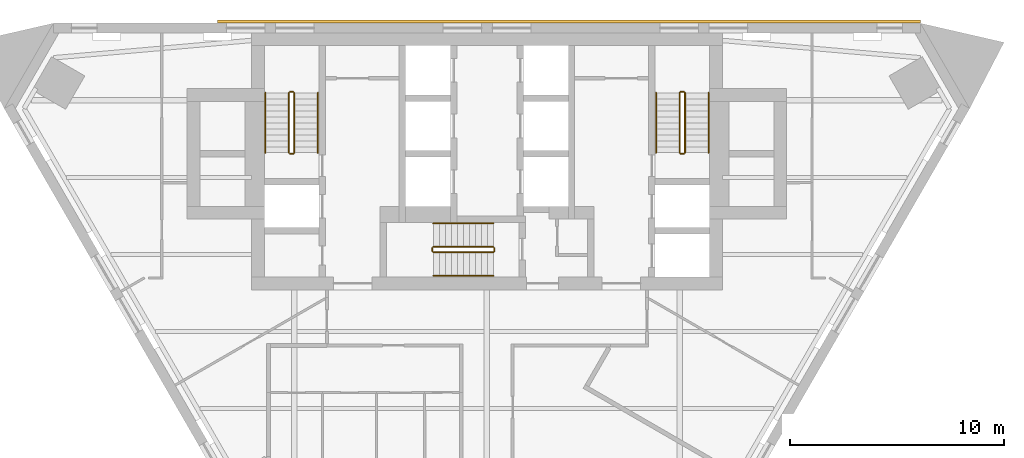
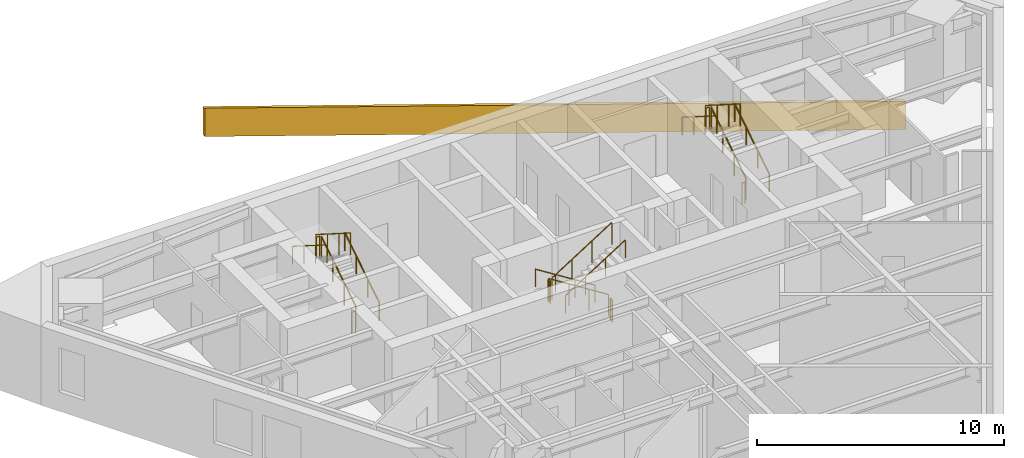
# One storey, part 7 of 7: 18 railings, 1 covering.
"""IFC4 building model written with IfcOpenShell, lengths in metres."""

from ifc_helpers import new_model, si_unit, direction, frame, origin, origin_2d, place, context, subcontext, project, spatial, polyline, circle, outline, extrude, material, layer, layer_set, type_object, element, save


model = new_model("IFC4")

# Units and contexts
model_context = context("Model", 3, precision=1e-05, world=origin(), true_north=direction((0.0, 1.0)))
body_context = subcontext(model_context, "Body", "Model", "MODEL_VIEW")
ifc_project = project(units=[si_unit("LENGTHUNIT", "METRE"), si_unit("AREAUNIT", "SQUARE_METRE"), si_unit("VOLUMEUNIT", "CUBIC_METRE"), si_unit("PLANEANGLEUNIT", "RADIAN"), si_unit("MASSUNIT", "GRAM", prefix="KILO")], contexts=[model_context])

# Site, building, storey
site_placement = place(None, origin())
site = spatial("IfcSite", under=ifc_project, at=site_placement, CompositionType="ELEMENT")
building_placement = place(site_placement, origin())
building = spatial("IfcBuilding", under=site, at=building_placement, Name="Aloe Facet Convention Tower", CompositionType="ELEMENT")
storey_placement = place(building_placement, frame((0.0, 0.0, 132.5)))
storey = spatial("IfcBuildingStorey", under=building, at=storey_placement, Name="L33", CompositionType="ELEMENT", Elevation=132.5)

# Railings
ifc_material_1 = material(Name="Steel S355 balustrade", Category="steel")
railing_type_1 = type_object("IfcRailingType", Name="CR-RL-GUARD", PredefinedType="GUARDRAIL", material=ifc_material_1)
railing_1_placement = place(storey_placement, frame((71.0, 128.949951171875, 0.17724609375)))
element("IfcRailing", 1, at=railing_1_placement, inside=storey, type_object=railing_type_1, Name="L33 ST1 stair guard 1", PredefinedType="GUARDRAIL", context=body_context, shape_type="SweptSolid", body=[
    extrude(circle(Radius=0.02392578125, at=origin_2d()), frame((0.0, 0.0, 1.076171875), z_axis=(0.0, 0.844908973607, 0.534910110503), x_axis=(-1.0, 0.0, 0.0)), (0.0, 0.0, 1.0), 3.31396484375),
    extrude(circle(Radius=0.02099609375, at=origin_2d()), origin(), (0.0, 0.0, 1.0), 1.052001953125),
    extrude(circle(Radius=0.02099609375, at=origin_2d()), frame((0.0, 0.933349609375, 0.5908203125)), (0.0, 0.0, 1.0), 1.052001953125),
    extrude(circle(Radius=0.02099609375, at=origin_2d()), frame((0.0, 1.86669921875, 1.181884765625)), (0.0, 0.0, 1.0), 1.052001953125),
    extrude(circle(Radius=0.02099609375, at=origin_2d()), frame((0.0, 2.800048828125, 1.772705078125)), (0.0, 0.0, 1.0), 1.052001953125),
])
railing_2_placement = place(storey_placement, frame((70.949951171875, 131.800048828125, 1.949951171875)))
element("IfcRailing", 2, at=railing_2_placement, inside=storey, type_object=railing_type_1, Name="L33 ST1 stair guard 2", PredefinedType="GUARDRAIL", context=body_context, shape_type="SweptSolid", body=[
    extrude(circle(Radius=0.02392578125, at=origin_2d()), frame((0.0, 0.0, 1.076171875), z_axis=(-1.0, 0.0, 0.0), x_axis=(0.0, -1.0, 0.0)), (0.0, 0.0, 1.0), 0.14990234375),
    extrude(circle(Radius=0.02099609375, at=origin_2d()), origin(), (0.0, 0.0, 1.0), 1.052001953125),
    extrude(circle(Radius=0.02099609375, at=origin_2d()), frame((-0.14990234375, 0.0, 0.0)), (0.0, 0.0, 1.0), 1.052001953125),
])
railing_3_placement = place(storey_placement, frame((70.75, 131.75, 2.127197265625)))
element("IfcRailing", 3, at=railing_3_placement, inside=storey, type_object=railing_type_1, Name="L33 ST1 stair guard 3", PredefinedType="GUARDRAIL", context=body_context, shape_type="SweptSolid", body=[
    extrude(circle(Radius=0.02392578125, at=origin_2d()), frame((0.0, 0.0, 1.076171875), z_axis=(0.0, -0.844908973607, 0.534910110503), x_axis=(1.0, 0.0, 0.0)), (0.0, 0.0, 1.0), 3.31396484375),
    extrude(circle(Radius=0.02099609375, at=origin_2d()), origin(), (0.0, 0.0, 1.0), 1.052001953125),
    extrude(circle(Radius=0.02099609375, at=origin_2d()), frame((0.0, -0.933349609375, 0.5908203125)), (0.0, 0.0, 1.0), 1.052001953125),
    extrude(circle(Radius=0.02099609375, at=origin_2d()), frame((0.0, -1.86669921875, 1.181884765625)), (0.0, 0.0, 1.0), 1.052001953125),
    extrude(circle(Radius=0.02099609375, at=origin_2d()), frame((0.0, -2.800048828125, 1.772705078125)), (0.0, 0.0, 1.0), 1.052001953125),
])
railing_4_placement = place(storey_placement, frame((70.949951171875, 128.89990234375, 0.0)))
element("IfcRailing", 4, at=railing_4_placement, inside=storey, type_object=railing_type_1, Name="L33 ST1 stair guard 4", PredefinedType="GUARDRAIL", context=body_context, shape_type="SweptSolid", body=[
    extrude(circle(Radius=0.02392578125, at=origin_2d()), frame((0.0, 0.0, 1.076171875), z_axis=(-1.0, 0.0, 0.0), x_axis=(0.0, -1.0, 0.0)), (0.0, 0.0, 1.0), 0.14990234375),
    extrude(circle(Radius=0.02099609375, at=origin_2d()), origin(), (0.0, 0.0, 1.0), 1.052001953125),
    extrude(circle(Radius=0.02099609375, at=origin_2d()), frame((-0.14990234375, 0.0, 0.0)), (0.0, 0.0, 1.0), 1.052001953125),
])
railing_5_placement = place(storey_placement, frame((89.25, 128.949951171875, 0.17724609375)))
element("IfcRailing", 5, at=railing_5_placement, inside=storey, type_object=railing_type_1, Name="L33 ST2 stair guard 1", PredefinedType="GUARDRAIL", context=body_context, shape_type="SweptSolid", body=[
    extrude(circle(Radius=0.02392578125, at=origin_2d()), frame((0.0, 0.0, 1.076171875), z_axis=(0.0, 0.844908973607, 0.534910110503), x_axis=(-1.0, 0.0, 0.0)), (0.0, 0.0, 1.0), 3.31396484375),
    extrude(circle(Radius=0.02099609375, at=origin_2d()), origin(), (0.0, 0.0, 1.0), 1.052001953125),
    extrude(circle(Radius=0.02099609375, at=origin_2d()), frame((0.0, 0.933349609375, 0.5908203125)), (0.0, 0.0, 1.0), 1.052001953125),
    extrude(circle(Radius=0.02099609375, at=origin_2d()), frame((0.0, 1.86669921875, 1.181884765625)), (0.0, 0.0, 1.0), 1.052001953125),
    extrude(circle(Radius=0.02099609375, at=origin_2d()), frame((0.0, 2.800048828125, 1.772705078125)), (0.0, 0.0, 1.0), 1.052001953125),
])
railing_6_placement = place(storey_placement, frame((89.199951171875, 131.800048828125, 1.949951171875)))
element("IfcRailing", 6, at=railing_6_placement, inside=storey, type_object=railing_type_1, Name="L33 ST2 stair guard 2", PredefinedType="GUARDRAIL", context=body_context, shape_type="SweptSolid", body=[
    extrude(circle(Radius=0.02392578125, at=origin_2d()), frame((0.0, 0.0, 1.076171875), z_axis=(-1.0, 0.0, 0.0), x_axis=(0.0, -1.0, 0.0)), (0.0, 0.0, 1.0), 0.14990234375),
    extrude(circle(Radius=0.02099609375, at=origin_2d()), origin(), (0.0, 0.0, 1.0), 1.052001953125),
    extrude(circle(Radius=0.02099609375, at=origin_2d()), frame((-0.14990234375, 0.0, 0.0)), (0.0, 0.0, 1.0), 1.052001953125),
])
railing_7_placement = place(storey_placement, frame((89.0, 131.75, 2.127197265625)))
element("IfcRailing", 7, at=railing_7_placement, inside=storey, type_object=railing_type_1, Name="L33 ST2 stair guard 3", PredefinedType="GUARDRAIL", context=body_context, shape_type="SweptSolid", body=[
    extrude(circle(Radius=0.02392578125, at=origin_2d()), frame((0.0, 0.0, 1.076171875), z_axis=(0.0, -0.844908973607, 0.534910110503), x_axis=(1.0, 0.0, 0.0)), (0.0, 0.0, 1.0), 3.31396484375),
    extrude(circle(Radius=0.02099609375, at=origin_2d()), origin(), (0.0, 0.0, 1.0), 1.052001953125),
    extrude(circle(Radius=0.02099609375, at=origin_2d()), frame((0.0, -0.933349609375, 0.5908203125)), (0.0, 0.0, 1.0), 1.052001953125),
    extrude(circle(Radius=0.02099609375, at=origin_2d()), frame((0.0, -1.86669921875, 1.181884765625)), (0.0, 0.0, 1.0), 1.052001953125),
    extrude(circle(Radius=0.02099609375, at=origin_2d()), frame((0.0, -2.800048828125, 1.772705078125)), (0.0, 0.0, 1.0), 1.052001953125),
])
railing_8_placement = place(storey_placement, frame((89.199951171875, 128.89990234375, 0.0)))
element("IfcRailing", 8, at=railing_8_placement, inside=storey, type_object=railing_type_1, Name="L33 ST2 stair guard 4", PredefinedType="GUARDRAIL", context=body_context, shape_type="SweptSolid", body=[
    extrude(circle(Radius=0.02392578125, at=origin_2d()), frame((0.0, 0.0, 1.076171875), z_axis=(-1.0, 0.0, 0.0), x_axis=(0.0, -1.0, 0.0)), (0.0, 0.0, 1.0), 0.14990234375),
    extrude(circle(Radius=0.02099609375, at=origin_2d()), origin(), (0.0, 0.0, 1.0), 1.052001953125),
    extrude(circle(Radius=0.02099609375, at=origin_2d()), frame((-0.14990234375, 0.0, 0.0)), (0.0, 0.0, 1.0), 1.052001953125),
])
railing_9_placement = place(storey_placement, frame((80.300048828125, 124.550048828125, 0.17724609375)))
element("IfcRailing", 9, at=railing_9_placement, inside=storey, type_object=railing_type_1, Name="L33 ST3 stair guard 1", PredefinedType="GUARDRAIL", context=body_context, shape_type="SweptSolid", body=[
    extrude(circle(Radius=0.02392578125, at=origin_2d()), frame((0.0, 0.0, 1.076171875), z_axis=(-0.844908973607, 0.0, 0.534910110503), x_axis=(0.0, -1.0, 0.0)), (0.0, 0.0, 1.0), 3.31396484375),
    extrude(circle(Radius=0.02099609375, at=origin_2d()), origin(), (0.0, 0.0, 1.0), 1.052001953125),
    extrude(circle(Radius=0.02099609375, at=origin_2d()), frame((-0.933349609375, 0.0, 0.5908203125)), (0.0, 0.0, 1.0), 1.052001953125),
    extrude(circle(Radius=0.02099609375, at=origin_2d()), frame((-1.86669921875, 0.0, 1.181884765625)), (0.0, 0.0, 1.0), 1.052001953125),
    extrude(circle(Radius=0.02099609375, at=origin_2d()), frame((-2.800048828125, 0.0, 1.772705078125)), (0.0, 0.0, 1.0), 1.052001953125),
])
railing_10_placement = place(storey_placement, frame((77.449951171875, 124.5, 1.949951171875)))
element("IfcRailing", 10, at=railing_10_placement, inside=storey, type_object=railing_type_1, Name="L33 ST3 stair guard 2", PredefinedType="GUARDRAIL", context=body_context, shape_type="SweptSolid", body=[
    extrude(circle(Radius=0.02392578125, at=origin_2d()), frame((0.0, 0.0, 1.076171875), z_axis=(0.0, -1.0, 0.0), x_axis=(1.0, 0.0, 0.0)), (0.0, 0.0, 1.0), 0.14990234375),
    extrude(circle(Radius=0.02099609375, at=origin_2d()), origin(), (0.0, 0.0, 1.0), 1.052001953125),
    extrude(circle(Radius=0.02099609375, at=origin_2d()), frame((0.0, -0.14990234375, 0.0)), (0.0, 0.0, 1.0), 1.052001953125),
])
railing_11_placement = place(storey_placement, frame((77.5, 124.300048828125, 2.127197265625)))
element("IfcRailing", 11, at=railing_11_placement, inside=storey, type_object=railing_type_1, Name="L33 ST3 stair guard 3", PredefinedType="GUARDRAIL", context=body_context, shape_type="SweptSolid", body=[
    extrude(circle(Radius=0.02392578125, at=origin_2d()), frame((0.0, 0.0, 1.076171875), z_axis=(0.844908973607, 0.0, 0.534910110503), x_axis=(0.0, 1.0, 0.0)), (0.0, 0.0, 1.0), 3.31396484375),
    extrude(circle(Radius=0.02099609375, at=origin_2d()), origin(), (0.0, 0.0, 1.0), 1.052001953125),
    extrude(circle(Radius=0.02099609375, at=origin_2d()), frame((0.933349609375, 0.0, 0.5908203125)), (0.0, 0.0, 1.0), 1.052001953125),
    extrude(circle(Radius=0.02099609375, at=origin_2d()), frame((1.86669921875, 0.0, 1.181884765625)), (0.0, 0.0, 1.0), 1.052001953125),
    extrude(circle(Radius=0.02099609375, at=origin_2d()), frame((2.800048828125, 0.0, 1.772705078125)), (0.0, 0.0, 1.0), 1.052001953125),
])
railing_12_placement = place(storey_placement, frame((80.35009765625, 124.5, 0.0)))
element("IfcRailing", 12, at=railing_12_placement, inside=storey, type_object=railing_type_1, Name="L33 ST3 stair guard 4", PredefinedType="GUARDRAIL", context=body_context, shape_type="SweptSolid", body=[
    extrude(circle(Radius=0.02392578125, at=origin_2d()), frame((0.0, 0.0, 1.076171875), z_axis=(0.0, -1.0, 0.0), x_axis=(1.0, 0.0, 0.0)), (0.0, 0.0, 1.0), 0.14990234375),
    extrude(circle(Radius=0.02099609375, at=origin_2d()), origin(), (0.0, 0.0, 1.0), 1.052001953125),
    extrude(circle(Radius=0.02099609375, at=origin_2d()), frame((0.0, -0.14990234375, 0.0)), (0.0, 0.0, 1.0), 1.052001953125),
])
ifc_material_2 = material(Name="Steel S355 handrail", Category="steel")
railing_type_2 = type_object("IfcRailingType", Name="CR-RL-HAND", PredefinedType="HANDRAIL", material=ifc_material_2)
railing_13_placement = place(storey_placement, frame((72.10009765625, 128.949951171875, 0.17724609375)))
element("IfcRailing", 13, at=railing_13_placement, inside=storey, type_object=railing_type_2, Name="L33 ST1 stair handrail 1", PredefinedType="HANDRAIL", context=body_context, shape_type="SweptSolid", body=[
    extrude(circle(Radius=0.02392578125, at=origin_2d()), frame((0.0, 0.0, 0.8759765625), z_axis=(0.0, 0.844908973607, 0.534910110503), x_axis=(-1.0, 0.0, 0.0)), (0.0, 0.0, 1.0), 3.31396484375),
    extrude(circle(Radius=0.02099609375, at=origin_2d()), origin(), (0.0, 0.0, 1.0), 0.851806640625),
    extrude(circle(Radius=0.02099609375, at=origin_2d()), frame((0.0, 0.933349609375, 0.5908203125)), (0.0, 0.0, 1.0), 0.851806640625),
    extrude(circle(Radius=0.02099609375, at=origin_2d()), frame((0.0, 1.86669921875, 1.181884765625)), (0.0, 0.0, 1.0), 0.851806640625),
    extrude(circle(Radius=0.02099609375, at=origin_2d()), frame((0.0, 2.800048828125, 1.772705078125)), (0.0, 0.0, 1.0), 0.851806640625),
])
railing_14_placement = place(storey_placement, frame((69.64990234375, 131.75, 2.127197265625)))
element("IfcRailing", 14, at=railing_14_placement, inside=storey, type_object=railing_type_2, Name="L33 ST1 stair handrail 2", PredefinedType="HANDRAIL", context=body_context, shape_type="SweptSolid", body=[
    extrude(circle(Radius=0.02392578125, at=origin_2d()), frame((0.0, 0.0, 0.8759765625), z_axis=(0.0, -0.844908973607, 0.534910110503), x_axis=(1.0, 0.0, 0.0)), (0.0, 0.0, 1.0), 3.31396484375),
    extrude(circle(Radius=0.02099609375, at=origin_2d()), origin(), (0.0, 0.0, 1.0), 0.851806640625),
    extrude(circle(Radius=0.02099609375, at=origin_2d()), frame((0.0, -0.933349609375, 0.5908203125)), (0.0, 0.0, 1.0), 0.851806640625),
    extrude(circle(Radius=0.02099609375, at=origin_2d()), frame((0.0, -1.86669921875, 1.181884765625)), (0.0, 0.0, 1.0), 0.851806640625),
    extrude(circle(Radius=0.02099609375, at=origin_2d()), frame((0.0, -2.800048828125, 1.772705078125)), (0.0, 0.0, 1.0), 0.851806640625),
])
railing_15_placement = place(storey_placement, frame((90.35009765625, 128.949951171875, 0.17724609375)))
element("IfcRailing", 15, at=railing_15_placement, inside=storey, type_object=railing_type_2, Name="L33 ST2 stair handrail 1", PredefinedType="HANDRAIL", context=body_context, shape_type="SweptSolid", body=[
    extrude(circle(Radius=0.02392578125, at=origin_2d()), frame((0.0, 0.0, 0.8759765625), z_axis=(0.0, 0.844908973607, 0.534910110503), x_axis=(-1.0, 0.0, 0.0)), (0.0, 0.0, 1.0), 3.31396484375),
    extrude(circle(Radius=0.02099609375, at=origin_2d()), origin(), (0.0, 0.0, 1.0), 0.851806640625),
    extrude(circle(Radius=0.02099609375, at=origin_2d()), frame((0.0, 0.933349609375, 0.5908203125)), (0.0, 0.0, 1.0), 0.851806640625),
    extrude(circle(Radius=0.02099609375, at=origin_2d()), frame((0.0, 1.86669921875, 1.181884765625)), (0.0, 0.0, 1.0), 0.851806640625),
    extrude(circle(Radius=0.02099609375, at=origin_2d()), frame((0.0, 2.800048828125, 1.772705078125)), (0.0, 0.0, 1.0), 0.851806640625),
])
railing_16_placement = place(storey_placement, frame((87.89990234375, 131.75, 2.127197265625)))
element("IfcRailing", 16, at=railing_16_placement, inside=storey, type_object=railing_type_2, Name="L33 ST2 stair handrail 2", PredefinedType="HANDRAIL", context=body_context, shape_type="SweptSolid", body=[
    extrude(circle(Radius=0.02392578125, at=origin_2d()), frame((0.0, 0.0, 0.8759765625), z_axis=(0.0, -0.844908973607, 0.534910110503), x_axis=(1.0, 0.0, 0.0)), (0.0, 0.0, 1.0), 3.31396484375),
    extrude(circle(Radius=0.02099609375, at=origin_2d()), origin(), (0.0, 0.0, 1.0), 0.851806640625),
    extrude(circle(Radius=0.02099609375, at=origin_2d()), frame((0.0, -0.933349609375, 0.5908203125)), (0.0, 0.0, 1.0), 0.851806640625),
    extrude(circle(Radius=0.02099609375, at=origin_2d()), frame((0.0, -1.86669921875, 1.181884765625)), (0.0, 0.0, 1.0), 0.851806640625),
    extrude(circle(Radius=0.02099609375, at=origin_2d()), frame((0.0, -2.800048828125, 1.772705078125)), (0.0, 0.0, 1.0), 0.851806640625),
])
railing_17_placement = place(storey_placement, frame((80.300048828125, 125.64990234375, 0.17724609375)))
element("IfcRailing", 17, at=railing_17_placement, inside=storey, type_object=railing_type_2, Name="L33 ST3 stair handrail 1", PredefinedType="HANDRAIL", context=body_context, shape_type="SweptSolid", body=[
    extrude(circle(Radius=0.02392578125, at=origin_2d()), frame((0.0, 0.0, 0.8759765625), z_axis=(-0.844908973607, 0.0, 0.534910110503), x_axis=(0.0, -1.0, 0.0)), (0.0, 0.0, 1.0), 3.31396484375),
    extrude(circle(Radius=0.02099609375, at=origin_2d()), origin(), (0.0, 0.0, 1.0), 0.851806640625),
    extrude(circle(Radius=0.02099609375, at=origin_2d()), frame((-0.933349609375, 0.0, 0.5908203125)), (0.0, 0.0, 1.0), 0.851806640625),
    extrude(circle(Radius=0.02099609375, at=origin_2d()), frame((-1.86669921875, 0.0, 1.181884765625)), (0.0, 0.0, 1.0), 0.851806640625),
    extrude(circle(Radius=0.02099609375, at=origin_2d()), frame((-2.800048828125, 0.0, 1.772705078125)), (0.0, 0.0, 1.0), 0.851806640625),
])
railing_18_placement = place(storey_placement, frame((77.5, 123.199951171875, 2.127197265625)))
element("IfcRailing", 18, at=railing_18_placement, inside=storey, type_object=railing_type_2, Name="L33 ST3 stair handrail 2", PredefinedType="HANDRAIL", context=body_context, shape_type="SweptSolid", body=[
    extrude(circle(Radius=0.02392578125, at=origin_2d()), frame((0.0, 0.0, 0.8759765625), z_axis=(0.844908973607, 0.0, 0.534910110503), x_axis=(0.0, 1.0, 0.0)), (0.0, 0.0, 1.0), 3.31396484375),
    extrude(circle(Radius=0.02099609375, at=origin_2d()), origin(), (0.0, 0.0, 1.0), 0.851806640625),
    extrude(circle(Radius=0.02099609375, at=origin_2d()), frame((0.933349609375, 0.0, 0.5908203125)), (0.0, 0.0, 1.0), 0.851806640625),
    extrude(circle(Radius=0.02099609375, at=origin_2d()), frame((1.86669921875, 0.0, 1.181884765625)), (0.0, 0.0, 1.0), 0.851806640625),
    extrude(circle(Radius=0.02099609375, at=origin_2d()), frame((2.800048828125, 0.0, 1.772705078125)), (0.0, 0.0, 1.0), 0.851806640625),
])

# Covering
ifc_material_3 = material(Name="Bronze oxide fascia sheet")
ifc_layer = layer(ifc_material_3, 0.14990234375)
ifc_layer_set = layer_set([ifc_layer], Name="EV-FASCIA-TERR")
covering_type = type_object("IfcCoveringType", Name="EV-FASCIA-TERR", PredefinedType="CLADDING", material=ifc_layer_set)
covering_placement = place(storey_placement, frame((100.2431640625, 135.14990234375, -3.89990234375), z_axis=(0.0, 1.0, 0.0), x_axis=(-0.946867183851, 0.0, 0.321624837575)))
element("IfcCovering", 19, at=covering_placement, inside=storey, type_object=covering_type, Name="Spiral ribbon zone 3 part 1", PredefinedType="CLADDING", context=body_context, shape_type="SweptSolid", body=[
    extrude(outline(polyline([(0.0, 0.0), (34.66741694395383, -1.7763568394002505e-15), (35.11766030788353, 1.3255215898935813), (0.45024336392969977, 1.3255215898935828), (0.0, 0.0)])), origin(), (0.0, 0.0, -1.0), 0.14990234375),
])

save(model, "model.ifc")
